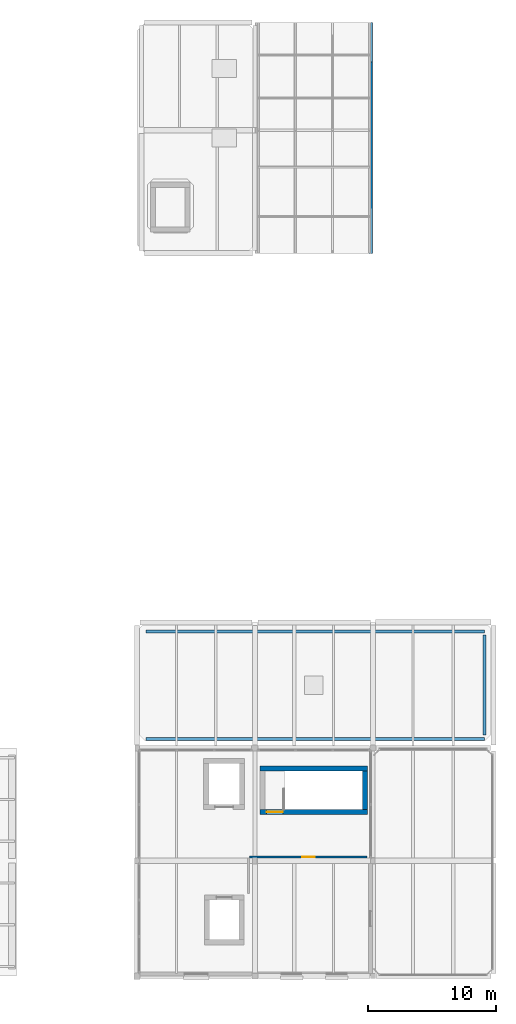
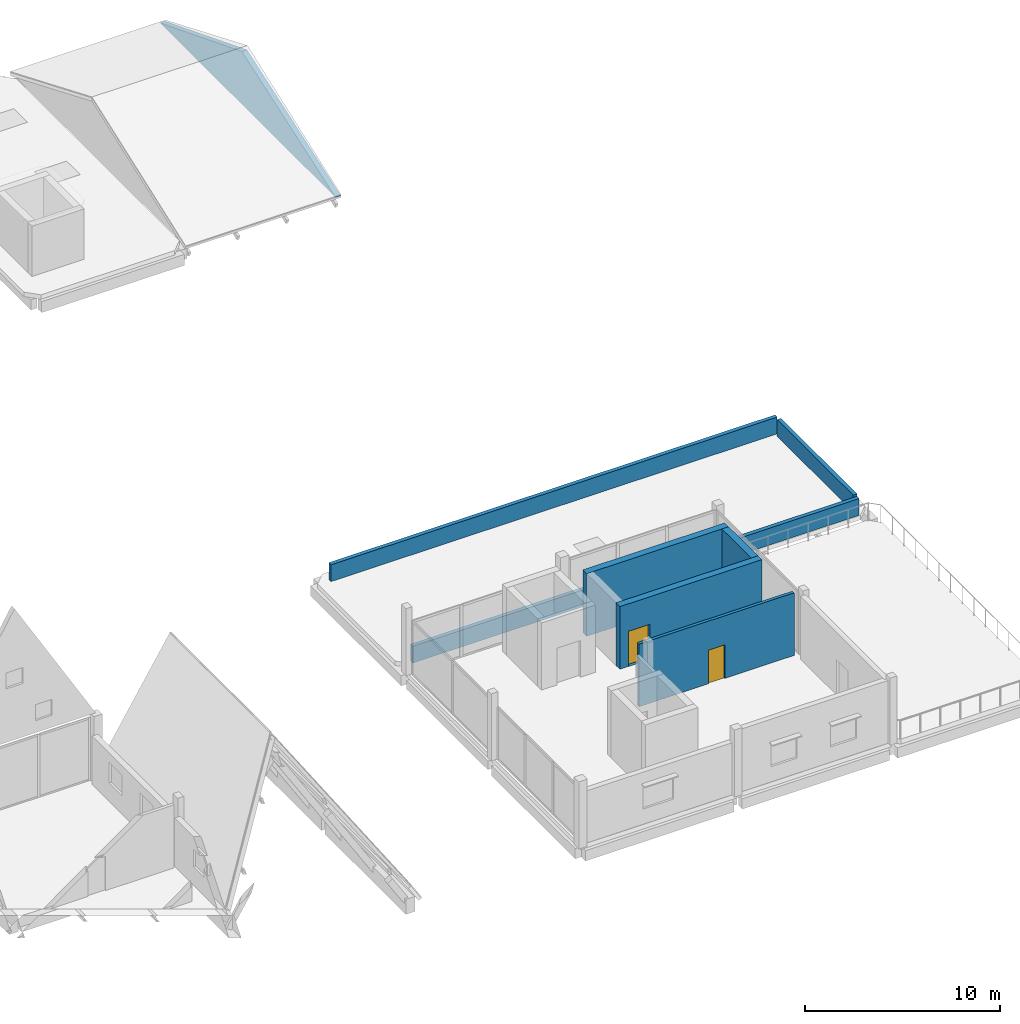
# One storey, part 17 of 23: 8 walls, 2 doors, 2 openings.
"""IFC4 building model written with IfcOpenShell, lengths in metres."""

from ifc_helpers import new_model, si_unit, direction, frame, frame_2d, origin, place, context, subcontext, project, spatial, polyline, rectangle, outline, extrude, material, layer, layer_set, type_object, element, fill, save


model = new_model("IFC4")

# Units and contexts
model_context = context("Model", 3, precision=1e-05, world=origin(), true_north=direction((0.0, 1.0)))
body_context = subcontext(model_context, "Body", "Model", "MODEL_VIEW")
ifc_project = project(units=[si_unit("LENGTHUNIT", "METRE"), si_unit("AREAUNIT", "SQUARE_METRE"), si_unit("VOLUMEUNIT", "CUBIC_METRE"), si_unit("PLANEANGLEUNIT", "RADIAN"), si_unit("MASSUNIT", "GRAM", prefix="KILO")], contexts=[model_context])

# Site, building, storey
site_placement = place(None, origin())
site = spatial("IfcSite", under=ifc_project, at=site_placement, CompositionType="ELEMENT")
building_placement = place(site_placement, origin())
building = spatial("IfcBuilding", under=site, at=building_placement, Name="Birchvale Park Specialist Clinic", CompositionType="ELEMENT")
storey_placement = place(building_placement, frame((0.0, 0.0, 18.0)))
storey = spatial("IfcBuildingStorey", under=building, at=storey_placement, Name="L04", CompositionType="ELEMENT", Elevation=18.0)

# Wall, opening, door
ifc_material_1 = material(Name="Concrete C40/50", Category="concrete")
ifc_layer_1 = layer(ifc_material_1, 0.39990234375)
ifc_layer_set_1 = layer_set([ifc_layer_1], Name="Concrete C40/50")
wall_type_1 = type_object("IfcWallType", Name="WL-CW-120", PredefinedType="SHEAR", material=ifc_layer_set_1)
wall_1_placement = place(storey_placement, frame((137.60009765625, 29.60009765625, 0.0), z_axis=(0.0, 0.0, 1.0), x_axis=(1.0, 0.0, 0.0)))
wall_1 = element("IfcWall", 1, at=wall_1_placement, inside=storey, type_object=wall_type_1, Name="L04 stair ST6 EI 120 enclosure wall (south)", PredefinedType="SHEAR", context=body_context, shape_type="SweptSolid", body=[
    extrude(rectangle(XDim=8.39990234375, YDim=0.39990234375, at=frame_2d((4.199951171875, 0.0))), origin(), (0.0, 0.0, 1.0), 3.919921875),
])
opening_1_placement = place(wall_1_placement, frame((0.52001953125, 0.0, 0.0)))
opening_1 = element("IfcOpeningElement", 2, at=opening_1_placement, cuts=wall_1, Name="Opening ID-FD60", PredefinedType="OPENING", context=body_context, shape_type="SweptSolid", body=[
    extrude(rectangle(XDim=1.25, YDim=2.199951171875, at=frame_2d((0.625, 1.10009765625))), frame((0.0, 0.2099609375, 0.0), z_axis=(0.0, -1.0, 0.0), x_axis=(1.0, 0.0, 0.0)), (0.0, 0.0, 1.0), 0.419921875),
])
ifc_material_2 = material(Name="Solid-core birch veneer and anodised aluminium", Category="aluminium")
door_type_1 = type_object("IfcDoorType", Name="DR-ID-FD60", OperationType="NOTDEFINED", PredefinedType="DOOR", material=ifc_material_2)
door_1_placement = place(opening_1_placement, origin())
door_1 = element("IfcDoor", 3, at=door_1_placement, inside=storey, type_object=door_type_1, Name="L04 stair ST6 fire door", OperationType="SINGLE_SWING_LEFT", OverallHeight=2.199951171875, OverallWidth=1.25, PredefinedType="DOOR", context=body_context, shape_type="SweptSolid", body=[
    extrude(rectangle(XDim=1.25, YDim=2.199951171875, at=frame_2d((0.625, 1.10009765625))), frame((0.0, 0.02490234375, 0.0), z_axis=(0.0, -1.0, 0.0), x_axis=(1.0, 0.0, 0.0)), (0.0, 0.0, 1.0), 0.050048828125),
])
fill(opening_1, door_1)

# Walls
wall_2_placement = place(storey_placement, frame((146.0, 33.0, 0.0), z_axis=(0.0, 0.0, 1.0), x_axis=(-1.0, 0.0, 0.0)))
element("IfcWall", 4, at=wall_2_placement, inside=storey, type_object=wall_type_1, Name="L04 stair ST6 EI 120 enclosure wall (north)", PredefinedType="SHEAR", context=body_context, shape_type="SweptSolid", body=[
    extrude(rectangle(XDim=8.39990234375, YDim=0.39990234375, at=frame_2d((4.199951171875, 0.0))), origin(), (0.0, 0.0, 1.0), 3.919921875),
])
wall_3_placement = place(storey_placement, frame((145.800048828125, 32.800048828125, 0.0), z_axis=(0.0, 0.0, 1.0), x_axis=(0.0, -1.0, 0.0)))
element("IfcWall", 5, at=wall_3_placement, inside=storey, type_object=wall_type_1, Name="L04 stair ST6 EI 120 enclosure wall (east)", PredefinedType="SHEAR", context=body_context, shape_type="SweptSolid", body=[
    extrude(rectangle(XDim=3.0, YDim=0.39990234375, at=frame_2d((1.5, 0.0))), origin(), (0.0, 0.0, 1.0), 3.919921875),
])
ifc_material_3 = material(Name="Lime-white mineral-rendered insulated masonry", Category="masonry")
ifc_layer_2 = layer(ifc_material_3, 0.31005859375)
ifc_layer_set_2 = layer_set([ifc_layer_2], Name="Lime-white mineral-rendered insulated masonry")
wall_type_2 = type_object("IfcWallType", Name="WL-EW-02", PredefinedType="STANDARD", material=ifc_layer_set_2)
wall_4_placement = place(storey_placement, frame((146.219970703125, 73.199951171875, 0.0), z_axis=(0.0, 0.0, 1.0), x_axis=(0.0, 1.0, 0.0)))
element("IfcWall", 6, at=wall_4_placement, inside=storey, type_object=wall_type_2, Name="L04 pitched gable tympanum wall V6-L04-E", PredefinedType="STANDARD", context=body_context, shape_type="SweptSolid", body=[
    extrude(outline(polyline([(0.0, 0.0), (18.0, 0.0), (18.0, 0.0), (9.60009765625, 3.300048828125), (0.0, 0.0), (0.0, 0.0)])), frame((0.0, 0.155029296875, 0.0), z_axis=(0.0, -1.0, 0.0), x_axis=(1.0, 0.0, 0.0)), (0.0, 0.0, 1.0), 0.31005859375),
])

# Wall, opening, door
ifc_material_4 = material(Name="Acoustic gypsum board on metal framing")
ifc_layer_3 = layer(ifc_material_4, 0.179931640625)
ifc_layer_set_3 = layer_set([ifc_layer_3], Name="Acoustic gypsum board on metal framing")
wall_type_3 = type_object("IfcWallType", Name="WL-IW-60", PredefinedType="PARTITIONING", material=ifc_layer_set_3)
wall_5_placement = place(storey_placement, frame((136.780029296875, 26.10009765625, 0.0), z_axis=(0.0, 0.0, 1.0), x_axis=(1.0, 0.0, 0.0)))
wall_5 = element("IfcWall", 7, at=wall_5_placement, inside=storey, type_object=wall_type_3, Name="V5 L04 clinical partition 568", PredefinedType="PARTITIONING", context=body_context, shape_type="SweptSolid", body=[
    extrude(rectangle(XDim=9.179931640625, YDim=0.179931640625, at=frame_2d((4.58984375, 0.0))), origin(), (0.0, 0.0, 1.0), 3.919921875),
])
opening_2_placement = place(wall_5_placement, frame((4.110107421875, 0.0, 0.0)))
opening_2 = element("IfcOpeningElement", 8, at=opening_2_placement, cuts=wall_5, Name="Opening ID-04", PredefinedType="OPENING", context=body_context, shape_type="SweptSolid", body=[
    extrude(rectangle(XDim=0.9599609375, YDim=2.10009765625, at=frame_2d((0.47998046875, 1.050048828125))), frame((0.0, 0.10009765625, 0.0), z_axis=(0.0, -1.0, 0.0), x_axis=(1.0, 0.0, 0.0)), (0.0, 0.0, 1.0), 0.199951171875),
])
door_type_2 = type_object("IfcDoorType", Name="DR-ID-04", OperationType="NOTDEFINED", PredefinedType="DOOR", material=ifc_material_2)
door_2_placement = place(opening_2_placement, origin())
door_2 = element("IfcDoor", 9, at=door_2_placement, inside=storey, type_object=door_type_2, Name="L04 Dermatologic Microsurgery Suite door", OperationType="SINGLE_SWING_LEFT", OverallHeight=2.10009765625, OverallWidth=0.9599609375, PredefinedType="DOOR", context=body_context, shape_type="SweptSolid", body=[
    extrude(rectangle(XDim=0.9599609375, YDim=2.10009765625, at=frame_2d((0.47998046875, 1.050048828125))), frame((0.0, 0.02490234375, 0.0), z_axis=(0.0, -1.0, 0.0), x_axis=(1.0, 0.0, 0.0)), (0.0, 0.0, 1.0), 0.050048828125),
])
fill(opening_2, door_2)

# Walls
ifc_layer_4 = layer(ifc_material_3, 0.22998046875)
ifc_layer_set_4 = layer_set([ifc_layer_4], Name="Lime-white mineral-rendered insulated masonry")
wall_type_4 = type_object("IfcWallType", Name="WL-PW-01", PredefinedType="PARAPET", material=ifc_layer_set_4)
wall_6_placement = place(storey_placement, frame((128.699951171875, 35.300048828125, 0.0), z_axis=(0.0, 0.0, 1.0), x_axis=(1.0, 0.0, 0.0)))
element("IfcWall", 10, at=wall_6_placement, inside=storey, type_object=wall_type_4, Name="L04 roof edge parapet 19", PredefinedType="PARAPET", context=body_context, shape_type="SweptSolid", body=[
    extrude(rectangle(XDim=26.400146484375, YDim=0.22998046875, at=frame_2d((13.2001953125, 0.0))), origin(), (0.0, 0.0, 1.0), 1.050048828125),
])
wall_7_placement = place(storey_placement, frame((155.10009765625, 35.60009765625, 0.0), z_axis=(0.0, 0.0, 1.0), x_axis=(0.0, 1.0, 0.0)))
element("IfcWall", 11, at=wall_7_placement, inside=storey, type_object=wall_type_4, Name="L04 roof edge parapet 20", PredefinedType="PARAPET", context=body_context, shape_type="SweptSolid", body=[
    extrude(rectangle(XDim=7.7998046875, YDim=0.22998046875, at=frame_2d((3.89990234375, 0.0))), origin(), (0.0, 0.0, 1.0), 1.050048828125),
])
wall_8_placement = place(storey_placement, frame((155.10009765625, 43.699951171875, 0.0), z_axis=(0.0, 0.0, 1.0), x_axis=(-1.0, 0.0, 0.0)))
element("IfcWall", 12, at=wall_8_placement, inside=storey, type_object=wall_type_4, Name="L04 roof edge parapet 21", PredefinedType="PARAPET", context=body_context, shape_type="SweptSolid", body=[
    extrude(rectangle(XDim=26.400146484375, YDim=0.22998046875, at=frame_2d((13.2001953125, 0.0))), origin(), (0.0, 0.0, 1.0), 1.050048828125),
])

save(model, "model.ifc")
